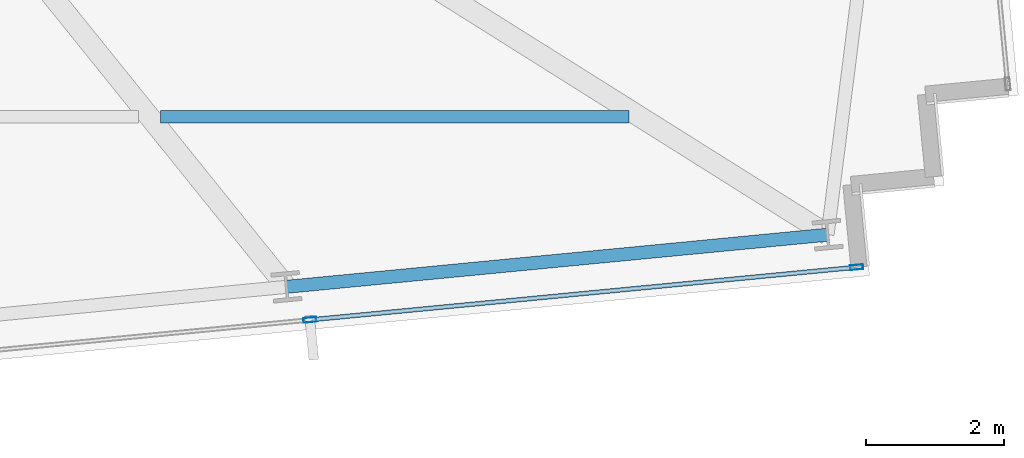
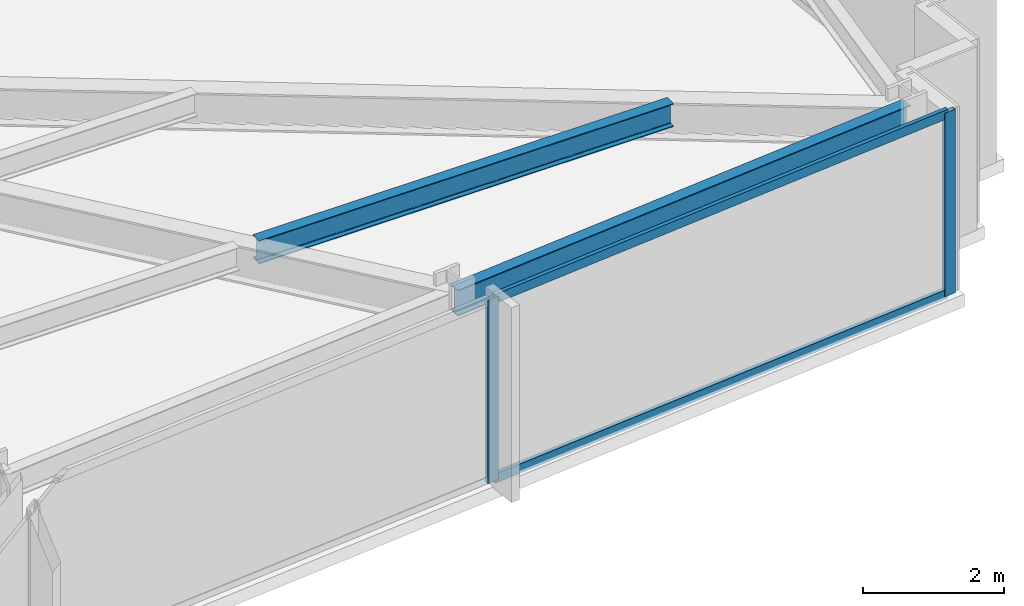
# One storey, part 12 of 32: 4 members, 2 beams, 1 element without a shape of its own.
"""IFC4 building model written with IfcOpenShell, lengths in metres."""

from ifc_helpers import new_model, si_unit, direction, frame, origin, origin_2d, place, context, subcontext, project, spatial, hollow_rectangle, i_section, extrude, material, material_profile, profile_set, type_object, element, aggregate, save


model = new_model("IFC4")

# Units and contexts
model_context = context("Model", 3, precision=1e-05, world=origin(), true_north=direction((0.0, 1.0)))
body_context = subcontext(model_context, "Body", "Model", "MODEL_VIEW")
ifc_project = project(units=[si_unit("LENGTHUNIT", "METRE"), si_unit("AREAUNIT", "SQUARE_METRE"), si_unit("VOLUMEUNIT", "CUBIC_METRE"), si_unit("PLANEANGLEUNIT", "RADIAN"), si_unit("MASSUNIT", "GRAM", prefix="KILO")], contexts=[model_context])

# Site, building, storey
site_placement = place(None, origin())
site = spatial("IfcSite", under=ifc_project, at=site_placement, CompositionType="ELEMENT")
building_placement = place(site_placement, origin())
building = spatial("IfcBuilding", under=site, at=building_placement, Name="Yelkora Congress Tower", CompositionType="ELEMENT")
storey_placement = place(building_placement, frame((0.0, 0.0, 120.300048828125)))
storey = spatial("IfcBuildingStorey", under=building, at=storey_placement, Name="L32", CompositionType="ELEMENT", Elevation=120.300048828125)

# Beams
ifc_material_1 = material(Name="Steel S355J2", Category="steel")
ifc_material_profile_1 = material_profile(ifc_material_1, i_section(OverallWidth=0.179931640625, OverallDepth=0.39990234375, WebThickness=0.008544921875, FlangeThickness=0.013427734375, FilletRadius=0.02099609375, at=origin_2d()), Name="IPE 400")
ifc_profile_set_1 = profile_set([ifc_material_profile_1], Name="Steel S355J2")
beam_type_1 = type_object("IfcBeamType", Name="BM-JOIST-IPE400", PredefinedType="JOIST", material=ifc_profile_set_1)
beam_1_placement = place(storey_placement, frame((65.056396484375, 16.144287109375, 2.97998046875), z_axis=(1.0, 0.0, 0.0), x_axis=(0.0, 1.0, 0.0)))
element("IfcBeam", 1, at=beam_1_placement, inside=storey, type_object=beam_type_1, Name="L32 Composite Floor Joist 10", PredefinedType="JOIST", context=body_context, shape_type="SweptSolid", body=[
    extrude(i_section(OverallWidth=0.179931640625, OverallDepth=0.39990234375, WebThickness=0.008544921875, FlangeThickness=0.013427734375, FilletRadius=0.02099609375, at=origin_2d()), origin(), (0.0, 0.0, 1.0), 6.795166015625),
])
ifc_material_profile_2 = material_profile(ifc_material_1, i_section(OverallWidth=0.18994140625, OverallDepth=0.449951171875, WebThickness=0.009521484375, FlangeThickness=0.0146484375, FilletRadius=0.02099609375, at=origin_2d()), Name="IPE 450")
ifc_profile_set_2 = profile_set([ifc_material_profile_2], Name="Steel S355J2")
beam_type_2 = type_object("IfcBeamType", Name="BM-SPAN-IPE450", PredefinedType="SPANDREL", material=ifc_profile_set_2)
beam_2_placement = place(storey_placement, frame((66.882568359375, 13.67919921875, 2.954833984375), z_axis=(0.995395575667, 0.095852219286, 0.0), x_axis=(-0.095852219286, 0.995395575667, 0.0)))
element("IfcBeam", 2, at=beam_2_placement, inside=storey, type_object=beam_type_2, Name="L32 Perimeter Beam 9", PredefinedType="SPANDREL", context=body_context, shape_type="SweptSolid", body=[
    extrude(i_section(OverallWidth=0.18994140625, OverallDepth=0.449951171875, WebThickness=0.009521484375, FlangeThickness=0.0146484375, FilletRadius=0.02099609375, at=origin_2d()), origin(), (0.0, 0.0, 1.0), 7.8857421875),
])

# Curtain wall, members
ifc_material_2 = material(Name="Anodised aluminium and insulated glass", Category="aluminium")
curtain_wall_type = type_object("IfcCurtainWallType", Name="CW-SYS-B2", PredefinedType="NOTDEFINED", material=ifc_material_2)
curtain_wall_placement = place(storey_placement, origin())
curtain_wall = element("IfcCurtainWall", 3, at=curtain_wall_placement, inside=storey, type_object=curtain_wall_type, Name="L32 Unitised Curtain Wall 20", PredefinedType="NOTDEFINED")
ifc_material_3 = material(Name="Anodised aluminium 6063-T6", Category="aluminium")
ifc_material_profile_3 = material_profile(ifc_material_3, hollow_rectangle(XDim=0.070068359375, YDim=0.18994140625, WallThickness=0.00390625, at=origin_2d()), Name="ALU 70x190x4")
ifc_profile_set_3 = profile_set([ifc_material_profile_3], Name="Anodised aluminium 6063-T6")
member_type_1 = type_object("IfcMemberType", Name="MEM-ML-B2", PredefinedType="MULLION", material=ifc_profile_set_3)
member_1_placement = place(storey_placement, frame((75.154052734375, 13.96337890625, 0.0), z_axis=(0.0, 0.0, 1.0), x_axis=(0.095844345816, -0.995396333816, 0.0)))
member_1 = element("IfcMember", 4, at=member_1_placement, type_object=member_type_1, Name="CW-B2 mullion 1", PredefinedType="MULLION", context=body_context, shape_type="SweptSolid", body=[
    extrude(hollow_rectangle(XDim=0.070068359375, YDim=0.18994140625, WallThickness=0.00390625, at=origin_2d()), origin(), (0.0, 0.0, 1.0), 3.179931640625),
])
member_2_placement = place(storey_placement, frame((67.222900390625, 13.19970703125, 0.0), z_axis=(0.0, 0.0, 1.0), x_axis=(0.095844345816, -0.995396333816, 0.0)))
member_2 = element("IfcMember", 5, at=member_2_placement, type_object=member_type_1, Name="CW-B2 mullion 2", PredefinedType="MULLION", context=body_context, shape_type="SweptSolid", body=[
    extrude(hollow_rectangle(XDim=0.070068359375, YDim=0.18994140625, WallThickness=0.00390625, at=origin_2d()), origin(), (0.0, 0.0, 1.0), 3.179931640625),
])
ifc_material_profile_4 = material_profile(ifc_material_3, hollow_rectangle(XDim=0.06494140625, YDim=0.159912109375, WallThickness=0.00390625, at=origin_2d()), Name="ALU 65x160x4")
ifc_profile_set_4 = profile_set([ifc_material_profile_4], Name="Anodised aluminium 6063-T6")
member_type_2 = type_object("IfcMemberType", Name="MEM-TR-B2", PredefinedType="USERDEFINED", material=ifc_profile_set_4)
member_3_placement = place(storey_placement, frame((75.119140625, 13.9599609375, 0.032470703125), z_axis=(-0.995397978421, -0.095827264157, 0.0), x_axis=(0.095827264157, -0.995397978421, 0.0)))
member_3 = element("IfcMember", 6, at=member_3_placement, type_object=member_type_2, Name="CW-B2 transom 1.1", ObjectType="TRANSOM", PredefinedType="USERDEFINED", context=body_context, shape_type="SweptSolid", body=[
    extrude(hollow_rectangle(XDim=0.06494140625, YDim=0.159912109375, WallThickness=0.00390625, at=origin_2d()), origin(), (0.0, 0.0, 1.0), 7.89794921875),
])
member_4_placement = place(storey_placement, frame((75.119140625, 13.9599609375, 3.1474609375), z_axis=(-0.995397978421, -0.095827264157, 0.0), x_axis=(0.095827264157, -0.995397978421, 0.0)))
member_4 = element("IfcMember", 7, at=member_4_placement, type_object=member_type_2, Name="CW-B2 transom 1.2", ObjectType="TRANSOM", PredefinedType="USERDEFINED", context=body_context, shape_type="SweptSolid", body=[
    extrude(hollow_rectangle(XDim=0.06494140625, YDim=0.159912109375, WallThickness=0.00390625, at=origin_2d()), origin(), (0.0, 0.0, 1.0), 7.89794921875),
])
aggregate(curtain_wall, [member_1, member_2, member_3, member_4])

save(model, "model.ifc")
